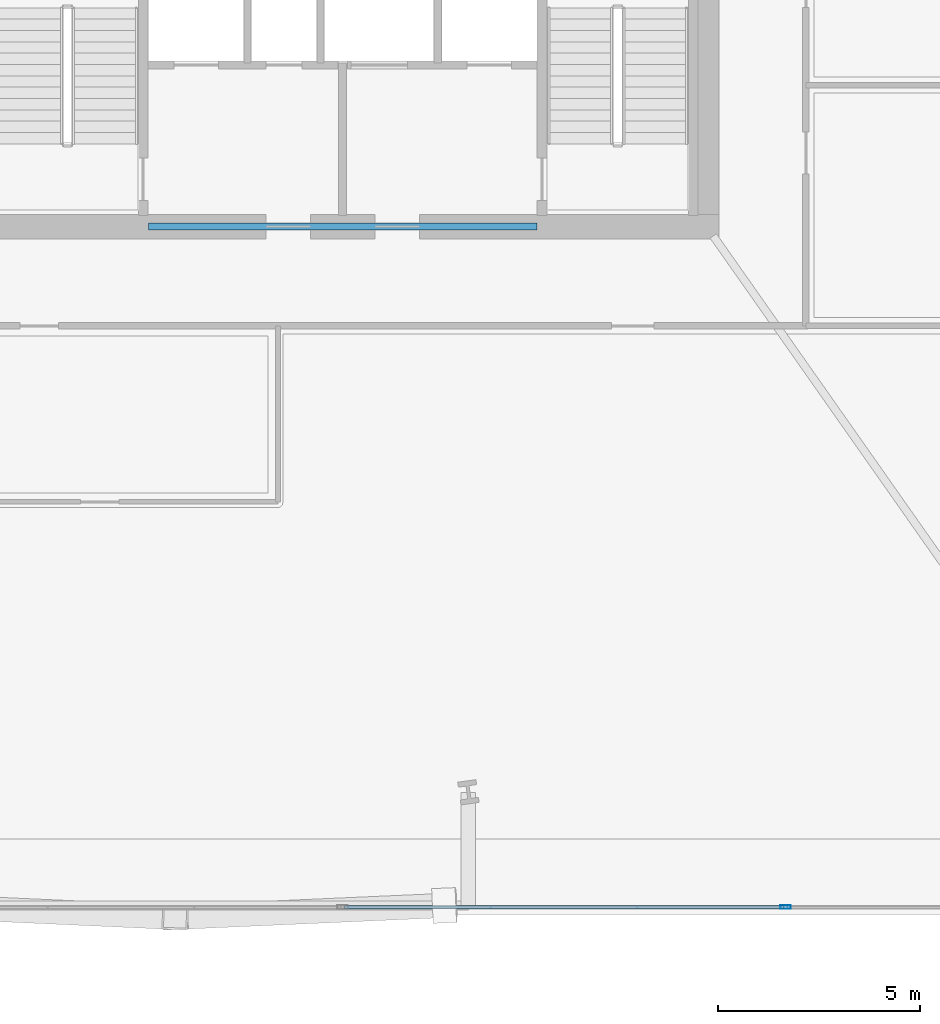
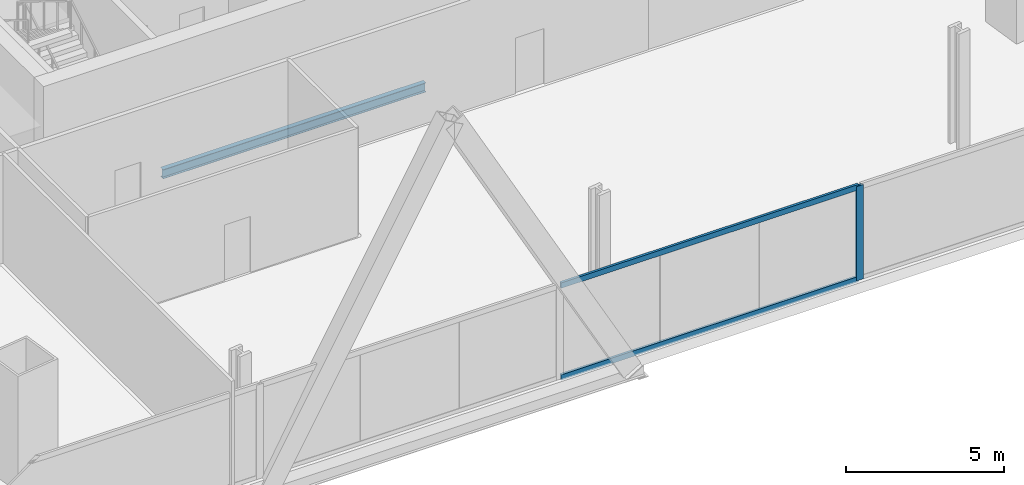
# One storey, part 7 of 29: 3 members, 1 beam, 1 element without a shape of its own.
"""IFC4 building model written with IfcOpenShell, lengths in metres."""

from ifc_helpers import new_model, si_unit, direction, frame, origin, origin_2d, place, context, subcontext, project, spatial, hollow_rectangle, i_section, extrude, material, material_profile, profile_set, type_object, element, aggregate, save


model = new_model("IFC4")

# Units and contexts
model_context = context("Model", 3, precision=1e-05, world=origin(), true_north=direction((0.0, 1.0)))
body_context = subcontext(model_context, "Body", "Model", "MODEL_VIEW")
ifc_project = project(units=[si_unit("LENGTHUNIT", "METRE"), si_unit("AREAUNIT", "SQUARE_METRE"), si_unit("VOLUMEUNIT", "CUBIC_METRE"), si_unit("PLANEANGLEUNIT", "RADIAN"), si_unit("MASSUNIT", "GRAM", prefix="KILO")], contexts=[model_context])

# Site, building, storey
site_placement = place(None, origin())
site = spatial("IfcSite", under=ifc_project, at=site_placement, CompositionType="ELEMENT")
building_placement = place(site_placement, origin())
building = spatial("IfcBuilding", under=site, at=building_placement, Name="Haldenkirk Collegiate Tower", CompositionType="ELEMENT")
storey_placement = place(building_placement, frame((0.0, 0.0, 28.199951171875)))
storey = spatial("IfcBuildingStorey", under=building, at=storey_placement, Name="L05", CompositionType="ELEMENT", Elevation=28.199951171875)

# Beam
ifc_material_1 = material(Name="Steel ASTM A992 Grade 50", Category="steel")
ifc_material_profile_1 = material_profile(ifc_material_1, i_section(OverallWidth=0.1708984375, OverallDepth=0.35595703125, WebThickness=0.007080078125, FlangeThickness=0.01171875, at=origin_2d()), Name="W14X34")
ifc_profile_set_1 = profile_set([ifc_material_profile_1], Name="Steel ASTM A992 Grade 50")
beam_type = type_object("IfcBeamType", Name="BM-LINTEL-W14X34", PredefinedType="LINTEL", material=ifc_profile_set_1)
beam_placement = place(storey_placement, frame((31.199951171875, 18.0, -0.587890625), z_axis=(1.0, 0.0, 0.0), x_axis=(0.0, 1.0, 0.0)))
element("IfcBeam", 1, at=beam_placement, inside=storey, type_object=beam_type, Name="L05 south core coupling lintel", PredefinedType="LINTEL", context=body_context, shape_type="SweptSolid", body=[
    extrude(i_section(OverallWidth=0.1708984375, OverallDepth=0.35595703125, WebThickness=0.007080078125, FlangeThickness=0.01171875, at=origin_2d()), origin(), (0.0, 0.0, 1.0), 9.60009765625),
])

# Curtain wall, members
ifc_material_2 = material(Name="Anodised architectural bronze aluminium", Category="aluminium")
curtain_wall_type = type_object("IfcCurtainWallType", Name="CW-SYS4-SKYGARDEN", PredefinedType="USERDEFINED", material=ifc_material_2)
curtain_wall_placement = place(storey_placement, origin())
curtain_wall = element("IfcCurtainWall", 2, at=curtain_wall_placement, inside=storey, type_object=curtain_wall_type, Name="L05 Sky-garden tall bronze curtain wall", ObjectType="UNITISED CURTAIN WALL", PredefinedType="USERDEFINED")
ifc_material_profile_2 = material_profile(ifc_material_2, hollow_rectangle(XDim=0.090087890625, YDim=0.260009765625, WallThickness=0.0048828125, at=origin_2d()), Name="CW-MUL-04")
ifc_profile_set_2 = profile_set([ifc_material_profile_2], Name="Anodised architectural bronze aluminium")
member_type_1 = type_object("IfcMemberType", Name="CW-MUL-04", PredefinedType="MULLION", material=ifc_profile_set_2)
member_1_placement = place(storey_placement, frame((46.949951171875, 1.179931640625, 0.0), z_axis=(0.0, 0.0, 1.0), x_axis=(0.0, -1.0, 0.0)))
member_1 = element("IfcMember", 3, at=member_1_placement, type_object=member_type_1, Name="CW-04 mullion 2", PredefinedType="MULLION", context=body_context, shape_type="SweptSolid", body=[
    extrude(hollow_rectangle(XDim=0.090087890625, YDim=0.260009765625, WallThickness=0.0048828125, at=origin_2d()), origin(), (0.0, 0.0, 1.0), 3.64111328125),
])
ifc_material_profile_3 = material_profile(ifc_material_2, hollow_rectangle(XDim=0.090087890625, YDim=0.2099609375, WallThickness=0.0048828125, at=origin_2d()), Name="CW-TRN-04")
ifc_profile_set_3 = profile_set([ifc_material_profile_3], Name="Anodised architectural bronze aluminium")
member_type_2 = type_object("IfcMemberType", Name="CW-TRN-04", PredefinedType="USERDEFINED", material=ifc_profile_set_3)
member_2_placement = place(storey_placement, frame((46.905029296875, 1.179931640625, 0.045166015625), z_axis=(-1.0, 0.0, 0.0), x_axis=(0.0, -1.0, 0.0)))
member_2 = element("IfcMember", 4, at=member_2_placement, type_object=member_type_2, Name="CW-04 transom 2.1", ObjectType="TRANSOM", PredefinedType="USERDEFINED", context=body_context, shape_type="SweptSolid", body=[
    extrude(hollow_rectangle(XDim=0.090087890625, YDim=0.2099609375, WallThickness=0.0048828125, at=origin_2d()), origin(), (0.0, 0.0, 1.0), 10.860107421875),
])
member_3_placement = place(storey_placement, frame((46.905029296875, 1.179931640625, 3.595947265625), z_axis=(-1.0, 0.0, 0.0), x_axis=(0.0, -1.0, 0.0)))
member_3 = element("IfcMember", 5, at=member_3_placement, type_object=member_type_2, Name="CW-04 transom 2.2", ObjectType="TRANSOM", PredefinedType="USERDEFINED", context=body_context, shape_type="SweptSolid", body=[
    extrude(hollow_rectangle(XDim=0.090087890625, YDim=0.2099609375, WallThickness=0.0048828125, at=origin_2d()), origin(), (0.0, 0.0, 1.0), 10.860107421875),
])
aggregate(curtain_wall, [member_1, member_2, member_3])

save(model, "model.ifc")
